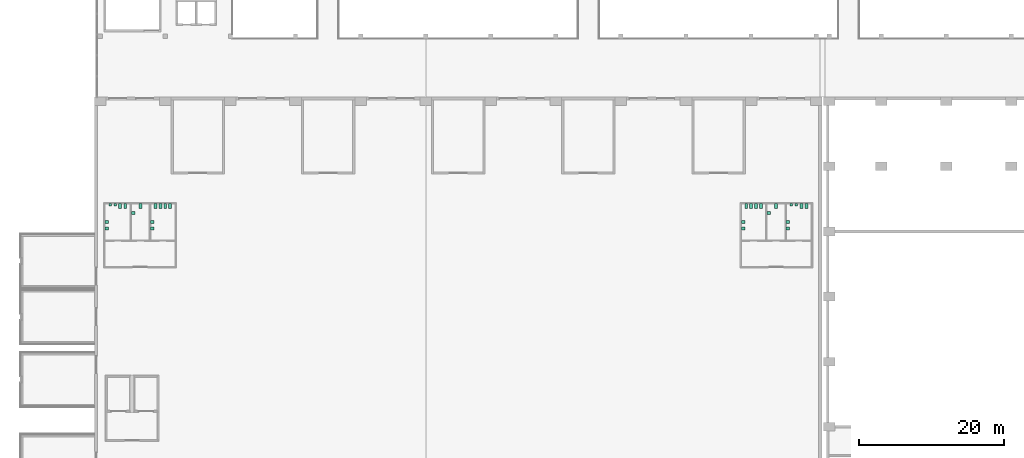
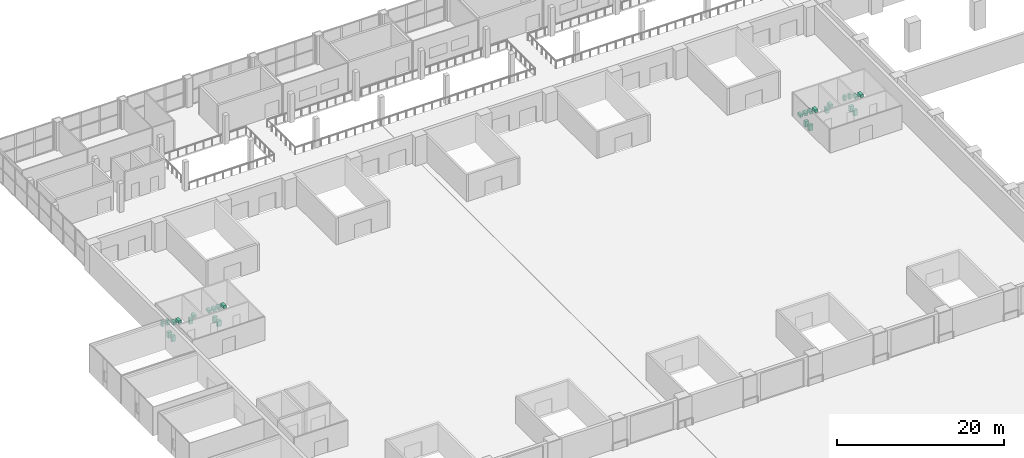
# One storey, part 38 of 39: 28 sanitary terminals.
"""IFC4 building model written with IfcOpenShell, lengths in metres."""

from ifc_helpers import new_model, si_unit, direction, frame, origin, origin_2d, place, context, subcontext, project, spatial, rectangle, extrude, material, type_object, element, save


model = new_model("IFC4")

# Units and contexts
model_context = context("Model", 3, precision=1e-05, world=origin(), true_north=direction((0.0, 1.0)))
body_context = subcontext(model_context, "Body", "Model", "MODEL_VIEW")
ifc_project = project(units=[si_unit("LENGTHUNIT", "METRE"), si_unit("AREAUNIT", "SQUARE_METRE"), si_unit("VOLUMEUNIT", "CUBIC_METRE"), si_unit("PLANEANGLEUNIT", "RADIAN"), si_unit("MASSUNIT", "GRAM", prefix="KILO")], contexts=[model_context])

# Site, building, storey
site_placement = place(None, origin())
site = spatial("IfcSite", under=ifc_project, at=site_placement, CompositionType="ELEMENT")
building_placement = place(site_placement, origin())
building = spatial("IfcBuilding", under=site, at=building_placement, Name="Aravalli Gate Trade Fair Centre", CompositionType="ELEMENT")
storey_placement = place(building_placement, frame((0.0, 0.0, 15.0)))
storey = spatial("IfcBuildingStorey", under=building, at=storey_placement, Name="L03", CompositionType="ELEMENT", Elevation=15.0)

# Sanitary terminals
ifc_material = material(Name="Ceramic")
sanitary_terminal_type_1 = type_object("IfcSanitaryTerminalType", Name="WC fitting hand basin", PredefinedType="WASHHANDBASIN", material=ifc_material)
for number, where, z_axis, x_axis, name in (
    (1, (6.89990234375, 91.39990234375, 0.0), (0.0, 0.0, 1.0), (1.0, 0.0, 0.0), "Hand basin Men W L03 5"),
    (2, (6.89990234375, 92.300048828125, 0.0), (0.0, 0.0, 1.0), (1.0, 0.0, 0.0), "Hand basin Men W L03 6"),
    (3, (13.199951171875, 91.39990234375, 0.0), (0.0, 0.0, 1.0), (1.0, 0.0, 0.0), "Hand basin Women W L03 5"),
    (4, (13.199951171875, 92.300048828125, 0.0), (0.0, 0.0, 1.0), (1.0, 0.0, 0.0), "Hand basin Women W L03 6"),
    (5, (10.550048828125, 93.550048828125, 0.0), (0.0, 0.0, 1.0), (1.0, 0.0, 0.0), "Hand basin Accessible W L03 2"),
    (6, (101.10009765625, 91.39990234375, 0.0), (0.0, 0.0, 1.0), (1.0, 0.0, 0.0), "Hand basin Men E L03 5"),
    (7, (101.10009765625, 92.300048828125, 0.0), (0.0, 0.0, 1.0), (1.0, 0.0, 0.0), "Hand basin Men E L03 6"),
    (8, (94.89990234375, 91.39990234375, 0.0), (0.0, 0.0, 1.0), (1.0, 0.0, 0.0), "Hand basin Women E L03 5"),
    (9, (94.89990234375, 92.300048828125, 0.0), (0.0, 0.0, 1.0), (1.0, 0.0, 0.0), "Hand basin Women E L03 6"),
    (10, (98.449951171875, 93.550048828125, 0.0), (0.0, 0.0, 1.0), (1.0, 0.0, 0.0), "Hand basin Accessible E L03 2"),
):
    element("IfcSanitaryTerminal", number, at=place(storey_placement, frame(where, z_axis=z_axis, x_axis=x_axis)), inside=storey, type_object=sanitary_terminal_type_1, Name=name, PredefinedType="WASHHANDBASIN", context=body_context, shape_type="SweptSolid", body=[
        extrude(rectangle(XDim=0.5, YDim=0.39990234375, at=origin_2d()), origin(), (0.0, 0.0, 1.0), 0.85009765625),
    ])
sanitary_terminal_type_2 = type_object("IfcSanitaryTerminalType", Name="WC fitting urinal", PredefinedType="URINAL", material=ifc_material)
for number, where, z_axis, x_axis, name in (
    (11, (7.35009765625, 94.675048828125, 0.0), (0.0, 0.0, 1.0), (1.0, 0.0, 0.0), "Urinal Men W L03 1"),
    (12, (8.050048828125, 94.675048828125, 0.0), (0.0, 0.0, 1.0), (1.0, 0.0, 0.0), "Urinal Men W L03 2"),
    (13, (101.550048828125, 94.675048828125, 0.0), (0.0, 0.0, 1.0), (1.0, 0.0, 0.0), "Urinal Men E L03 1"),
    (14, (102.25, 94.675048828125, 0.0), (0.0, 0.0, 1.0), (1.0, 0.0, 0.0), "Urinal Men E L03 2"),
):
    element("IfcSanitaryTerminal", number, at=place(storey_placement, frame(where, z_axis=z_axis, x_axis=x_axis)), inside=storey, type_object=sanitary_terminal_type_2, Name=name, PredefinedType="URINAL", context=body_context, shape_type="SweptSolid", body=[
        extrude(rectangle(XDim=0.35009765625, YDim=0.35009765625, at=origin_2d()), origin(), (0.0, 0.0, 1.0), 0.75),
    ])
sanitary_terminal_type_3 = type_object("IfcSanitaryTerminalType", Name="WC fitting wc pan", PredefinedType="TOILETPAN", material=ifc_material)
for number, where, z_axis, x_axis, name in (
    (15, (8.75, 94.5, 0.0), (0.0, 0.0, 1.0), (1.0, 0.0, 0.0), "WC pan Men W L03 3"),
    (16, (9.449951171875, 94.5, 0.0), (0.0, 0.0, 1.0), (1.0, 0.0, 0.0), "WC pan Men W L03 4"),
    (17, (13.6298828125, 94.5, 0.0), (0.0, 0.0, 1.0), (1.0, 0.0, 0.0), "WC pan Women W L03 1"),
    (18, (14.31005859375, 94.5, 0.0), (0.0, 0.0, 1.0), (1.0, 0.0, 0.0), "WC pan Women W L03 2"),
    (19, (14.989990234375, 94.5, 0.0), (0.0, 0.0, 1.0), (1.0, 0.0, 0.0), "WC pan Women W L03 3"),
    (20, (15.669921875, 94.5, 0.0), (0.0, 0.0, 1.0), (1.0, 0.0, 0.0), "WC pan Women W L03 4"),
    (21, (11.550048828125, 94.5, 0.0), (0.0, 0.0, 1.0), (1.0, 0.0, 0.0), "WC pan Accessible W L03 1"),
    (22, (102.949951171875, 94.5, 0.0), (0.0, 0.0, 1.0), (1.0, 0.0, 0.0), "WC pan Men E L03 3"),
    (23, (103.64990234375, 94.5, 0.0), (0.0, 0.0, 1.0), (1.0, 0.0, 0.0), "WC pan Men E L03 4"),
    (24, (95.330078125, 94.5, 0.0), (0.0, 0.0, 1.0), (1.0, 0.0, 0.0), "WC pan Women E L03 1"),
    (25, (96.010009765625, 94.5, 0.0), (0.0, 0.0, 1.0), (1.0, 0.0, 0.0), "WC pan Women E L03 2"),
    (26, (96.68994140625, 94.5, 0.0), (0.0, 0.0, 1.0), (1.0, 0.0, 0.0), "WC pan Women E L03 3"),
    (27, (97.3701171875, 94.5, 0.0), (0.0, 0.0, 1.0), (1.0, 0.0, 0.0), "WC pan Women E L03 4"),
    (28, (99.449951171875, 94.5, 0.0), (0.0, 0.0, 1.0), (1.0, 0.0, 0.0), "WC pan Accessible E L03 1"),
):
    element("IfcSanitaryTerminal", number, at=place(storey_placement, frame(where, z_axis=z_axis, x_axis=x_axis)), inside=storey, type_object=sanitary_terminal_type_3, Name=name, PredefinedType="TOILETPAN", context=body_context, shape_type="SweptSolid", body=[
        extrude(rectangle(XDim=0.39990234375, YDim=0.699951171875, at=origin_2d()), origin(), (0.0, 0.0, 1.0), 0.39990234375),
    ])

save(model, "model.ifc")
